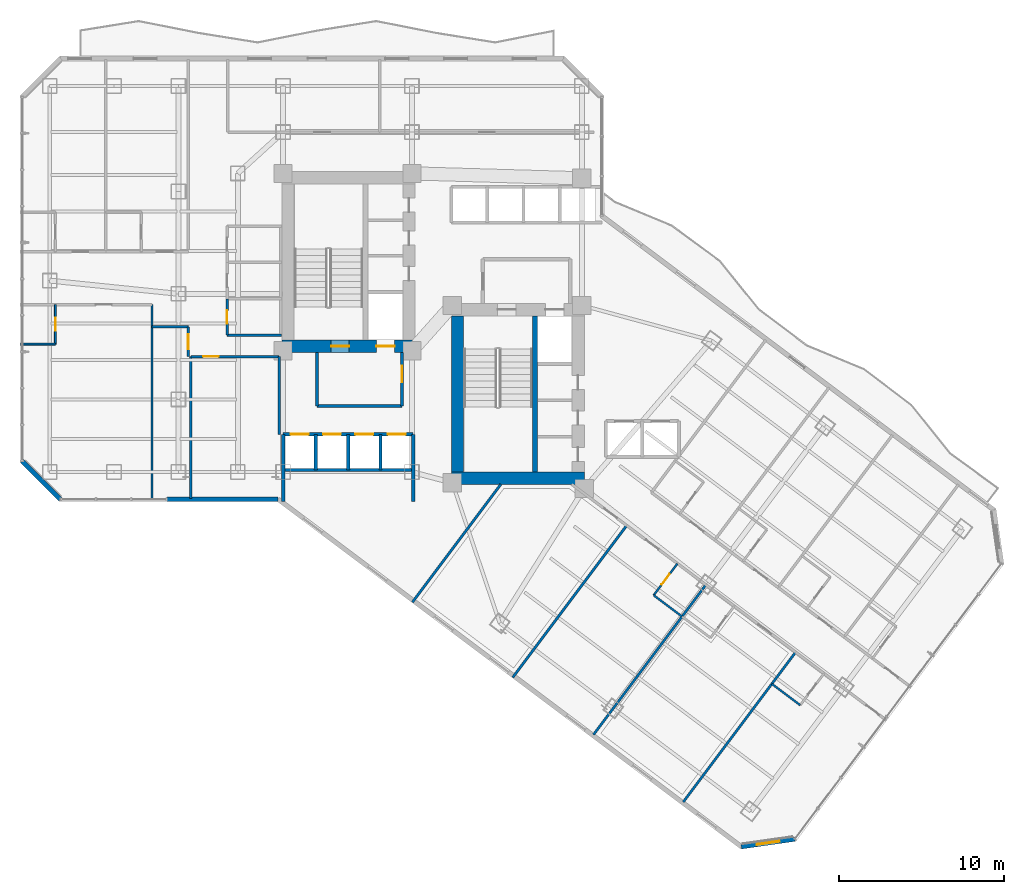
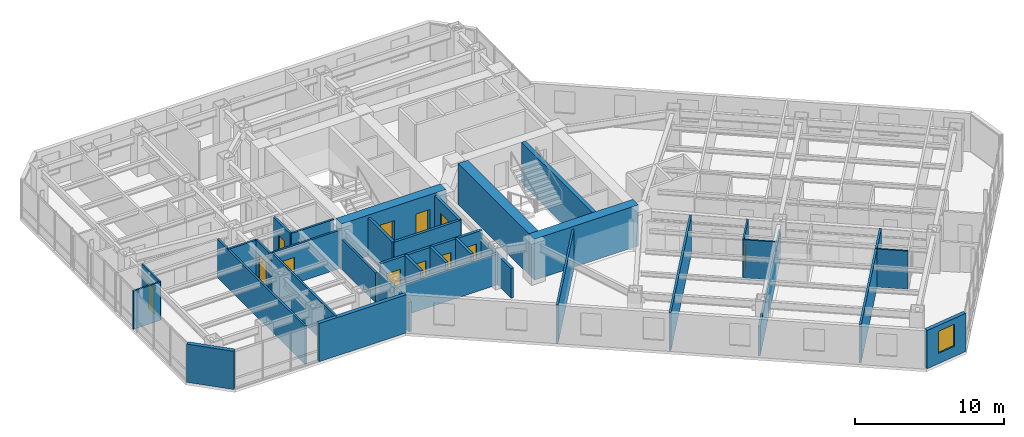
# One storey, part 22 of 31: 34 walls, 12 doors, 1 window, 13 openings.
"""IFC4 building model written with IfcOpenShell, lengths in metres."""

from ifc_helpers import new_model, si_unit, direction, frame, frame_2d, origin, place, context, subcontext, project, spatial, rectangle, extrude, material, layer, layer_set, type_object, element, fill, save


model = new_model("IFC4")

# Units and contexts
model_context = context("Model", 3, precision=1e-05, world=origin(), true_north=direction((0.0, 1.0)))
body_context = subcontext(model_context, "Body", "Model", "MODEL_VIEW")
ifc_project = project(units=[si_unit("LENGTHUNIT", "METRE"), si_unit("AREAUNIT", "SQUARE_METRE"), si_unit("VOLUMEUNIT", "CUBIC_METRE"), si_unit("PLANEANGLEUNIT", "RADIAN"), si_unit("MASSUNIT", "GRAM", prefix="KILO")], contexts=[model_context])

# Site, building, storey
site_placement = place(None, origin())
site = spatial("IfcSite", under=ifc_project, at=site_placement, CompositionType="ELEMENT")
building_placement = place(site_placement, origin())
building = spatial("IfcBuilding", under=site, at=building_placement, Name="Hatsunagi Terrace Concourse", CompositionType="ELEMENT")
storey_placement = place(building_placement, frame((0.0, 0.0, 81.300048828125)))
storey = spatial("IfcBuildingStorey", under=building, at=storey_placement, Name="L21", CompositionType="ELEMENT", Elevation=81.300048828125)

# Wall, openings, doors
ifc_material_1 = material(Name="Concrete Fc60", Category="concrete")
ifc_layer_1 = layer(ifc_material_1, 0.75)
ifc_layer_set_1 = layer_set([ifc_layer_1], Name="CoreShearWall_Fc60_750")
wall_type_1 = type_object("IfcWallType", Name="CoreShearWall_Fc60_750", PredefinedType="SHEAR", material=ifc_layer_set_1)
wall_1_placement = place(storey_placement, frame((25.469970703125, 32.81494140625, 0.0), z_axis=(0.0, 0.0, 1.0), x_axis=(1.0, 0.0, 0.0)))
wall_1 = element("IfcWall", 1, at=wall_1_placement, inside=storey, type_object=wall_type_1, Name="Core A Shear Wall S L21", PredefinedType="SHEAR", context=body_context, shape_type="SweptSolid", body=[
    extrude(rectangle(XDim=8.080078125, YDim=0.75, at=frame_2d((4.0400390625, 0.0))), origin(), (0.0, 0.0, 1.0), 3.349853515625),
])
opening_1_placement = place(wall_1_placement, frame((2.97998046875, 0.0, 0.0)))
opening_1 = element("IfcOpeningElement", 2, at=opening_1_placement, cuts=wall_1, Name="Opening DR-110S", PredefinedType="OPENING", context=body_context, shape_type="SweptSolid", body=[
    extrude(rectangle(XDim=1.10009765625, YDim=2.199951171875, at=frame_2d((0.550048828125, 1.10009765625))), frame((0.0, 0.385009765625, 0.0), z_axis=(0.0, -1.0, 0.0), x_axis=(1.0, 0.0, 0.0)), (0.0, 0.0, 1.0), 0.77001953125),
])
opening_2_placement = place(wall_1_placement, frame((5.72998046875, 0.0, 0.0)))
opening_2 = element("IfcOpeningElement", 3, at=opening_2_placement, cuts=wall_1, Name="Opening LD-01", PredefinedType="OPENING", context=body_context, shape_type="SweptSolid", body=[
    extrude(rectangle(XDim=1.10009765625, YDim=2.14990234375, at=frame_2d((0.550048828125, 1.074951171875))), frame((0.0, 0.385009765625, 0.0), z_axis=(0.0, -1.0, 0.0), x_axis=(1.0, 0.0, 0.0)), (0.0, 0.0, 1.0), 0.77001953125),
])
ifc_material_2 = material(Name="Stainless steel", Category="steel")
door_type_1 = type_object("IfcDoorType", Name="LiftLandingDoor_LD01", OperationType="SLIDING_TO_LEFT", PredefinedType="USERDEFINED", material=ifc_material_2)
door_1_placement = place(opening_2_placement, origin())
door_1 = element("IfcDoor", 4, at=door_1_placement, inside=storey, type_object=door_type_1, Name="Lift landing door FF-01 L21", ObjectType="SLIDING_LANDING_DOOR", OperationType="SLIDING_TO_LEFT", OverallHeight=2.14990234375, OverallWidth=1.10009765625, PredefinedType="USERDEFINED", context=body_context, shape_type="SweptSolid", body=[
    extrude(rectangle(XDim=1.10009765625, YDim=2.14990234375, at=frame_2d((0.550048828125, 1.074951171875))), frame((0.0, 0.02490234375, 0.0), z_axis=(0.0, -1.0, 0.0), x_axis=(1.0, 0.0, 0.0)), (0.0, 0.0, 1.0), 0.050048828125),
])
fill(opening_2, door_1)
ifc_material_3 = material(Name="Painted steel", Category="steel")
door_type_2 = type_object("IfcDoorType", Name="StairFireDoor_EI60_1100", OperationType="NOTDEFINED", PredefinedType="DOOR", material=ifc_material_3)
door_2_placement = place(opening_1_placement, origin())
door_2 = element("IfcDoor", 5, at=door_2_placement, inside=storey, type_object=door_type_2, Name="Stair ST-A Exit Door L21", OperationType="SINGLE_SWING_LEFT", OverallHeight=2.199951171875, OverallWidth=1.10009765625, PredefinedType="DOOR", context=body_context, shape_type="SweptSolid", body=[
    extrude(rectangle(XDim=1.10009765625, YDim=2.199951171875, at=frame_2d((0.550048828125, 1.10009765625))), frame((0.0, 0.02490234375, 0.0), z_axis=(0.0, -1.0, 0.0), x_axis=(1.0, 0.0, 0.0)), (0.0, 0.0, 1.0), 0.050048828125),
])
fill(opening_1, door_2)

# Walls
wall_2_placement = place(storey_placement, frame((35.739990234375, 24.81494140625, 0.0), z_axis=(0.0, 0.0, 1.0), x_axis=(1.0, 0.0, 0.0)))
element("IfcWall", 6, at=wall_2_placement, inside=storey, type_object=wall_type_1, Name="Core B Shear Wall S L21", PredefinedType="SHEAR", context=body_context, shape_type="SweptSolid", body=[
    extrude(rectangle(XDim=8.06005859375, YDim=0.75, at=frame_2d((4.030029296875, 0.0))), origin(), (0.0, 0.0, 1.0), 3.349853515625),
])
wall_3_placement = place(storey_placement, frame((36.114990234375, 25.18994140625, 0.0), z_axis=(0.0, 0.0, 1.0), x_axis=(0.0, 1.0, 0.0)))
element("IfcWall", 7, at=wall_3_placement, inside=storey, type_object=wall_type_1, Name="Core B Shear Wall W L21", PredefinedType="SHEAR", context=body_context, shape_type="SweptSolid", body=[
    extrude(rectangle(XDim=9.47998046875, YDim=0.75, at=frame_2d((4.739990234375, 0.0))), origin(), (0.0, 0.0, 1.0), 3.349853515625),
])
ifc_material_4 = material(Name="Concrete Fc48", Category="concrete")
ifc_layer_2 = layer(ifc_material_4, 0.300048828125)
ifc_layer_set_2 = layer_set([ifc_layer_2], Name="CoreStairDivider_Fc48_300")
wall_type_2 = type_object("IfcWallType", Name="CoreStairDivider_Fc48_300", PredefinedType="SHEAR", material=ifc_layer_set_2)
wall_4_placement = place(storey_placement, frame((40.81005859375, 25.18994140625, 0.0), z_axis=(0.0, 0.0, 1.0), x_axis=(0.0, 1.0, 0.0)))
element("IfcWall", 8, at=wall_4_placement, inside=storey, type_object=wall_type_2, Name="Core B Shear Wall D L21", PredefinedType="SHEAR", context=body_context, shape_type="SweptSolid", body=[
    extrude(rectangle(XDim=9.47998046875, YDim=0.300048828125, at=frame_2d((4.739990234375, 0.0))), origin(), (0.0, 0.0, 1.0), 3.349853515625),
])

# Wall, opening, door
ifc_material_5 = material(Name="Acoustic mineral board", Category="gypsum")
ifc_layer_3 = layer(ifc_material_5, 0.1201171875)
ifc_layer_set_3 = layer_set([ifc_layer_3], Name="PartitionWall_EI30_120")
wall_type_3 = type_object("IfcWallType", Name="PartitionWall_EI30_120", PredefinedType="PARTITIONING", material=ifc_layer_set_3)
wall_5_placement = place(storey_placement, frame((11.75, 32.949951171875, 0.0), z_axis=(0.0, 0.0, 1.0), x_axis=(0.0, 1.0, 0.0)))
wall_5 = element("IfcWall", 9, at=wall_5_placement, inside=storey, type_object=wall_type_3, Name="Interior Partition IW-L21-061", PredefinedType="PARTITIONING", context=body_context, shape_type="SweptSolid", body=[
    extrude(rectangle(XDim=2.400146484375, YDim=0.1201171875, at=frame_2d((1.2001953125, 0.0))), origin(), (0.0, 0.0, 1.0), 3.1298828125),
])
opening_3_placement = place(wall_5_placement, frame((0.800048828125, 0.0, 0.0)))
opening_3 = element("IfcOpeningElement", 10, at=opening_3_placement, cuts=wall_5, Name="Opening DR-080", PredefinedType="OPENING", context=body_context, shape_type="SweptSolid", body=[
    extrude(rectangle(XDim=0.800048828125, YDim=2.06005859375, at=frame_2d((0.39990234375, 1.030029296875))), frame((0.0, 0.070068359375, 0.0), z_axis=(0.0, -1.0, 0.0), x_axis=(1.0, 0.0, 0.0)), (0.0, 0.0, 1.0), 0.14013671875),
])
ifc_material_6 = material(Name="Hardwood timber", Category="wood")
door_type_3 = type_object("IfcDoorType", Name="BathroomDoor_800", OperationType="NOTDEFINED", PredefinedType="DOOR", material=ifc_material_6)
door_3_placement = place(opening_3_placement, origin())
door_3 = element("IfcDoor", 11, at=door_3_placement, inside=storey, type_object=door_type_3, Name="En-Suite Bathroom L21-S1 Door", OperationType="SINGLE_SWING_RIGHT", OverallHeight=2.06005859375, OverallWidth=0.800048828125, PredefinedType="DOOR", context=body_context, shape_type="SweptSolid", body=[
    extrude(rectangle(XDim=0.800048828125, YDim=2.06005859375, at=frame_2d((0.39990234375, 1.030029296875))), frame((0.0, 0.02490234375, 0.0), z_axis=(0.0, -1.0, 0.0), x_axis=(1.0, 0.0, 0.0)), (0.0, 0.0, 1.0), 0.050048828125),
])
fill(opening_3, door_3)

# Wall
wall_6_placement = place(storey_placement, frame((9.639892578125, 32.949951171875, 0.0), z_axis=(0.0, 0.0, 1.0), x_axis=(1.0, 0.0, 0.0)))
element("IfcWall", 12, at=wall_6_placement, inside=storey, type_object=wall_type_3, Name="Interior Partition IW-L21-062", PredefinedType="PARTITIONING", context=body_context, shape_type="SweptSolid", body=[
    extrude(rectangle(XDim=2.110107421875, YDim=0.1201171875, at=frame_2d((1.05517578125, 0.0))), origin(), (0.0, 0.0, 1.0), 3.1298828125),
])

# Wall, opening, door
wall_7_placement = place(storey_placement, frame((48.010009765625, 17.72998046875, 0.0), z_axis=(0.0, 0.0, 1.0), x_axis=(0.6, 0.8, 0.0)))
wall_7 = element("IfcWall", 13, at=wall_7_placement, inside=storey, type_object=wall_type_3, Name="Interior Partition IW-L21-088", PredefinedType="PARTITIONING", context=body_context, shape_type="SweptSolid", body=[
    extrude(rectangle(XDim=2.39990234375, YDim=0.1201171875, at=frame_2d((1.199951171875, 0.0))), origin(), (0.0, 0.0, 1.0), 3.1298828125),
])
opening_4_placement = place(wall_7_placement, frame((0.800048828125, 0.0, 0.0)))
opening_4 = element("IfcOpeningElement", 14, at=opening_4_placement, cuts=wall_7, Name="Opening DR-080", PredefinedType="OPENING", context=body_context, shape_type="SweptSolid", body=[
    extrude(rectangle(XDim=0.800048828125, YDim=2.06005859375, at=frame_2d((0.39990234375, 1.030029296875))), frame((0.0, 0.070068359375, 0.0), z_axis=(0.0, -1.0, 0.0), x_axis=(1.0, 0.0, 0.0)), (0.0, 0.0, 1.0), 0.14013671875),
])
door_4_placement = place(opening_4_placement, origin())
door_4 = element("IfcDoor", 15, at=door_4_placement, inside=storey, type_object=door_type_3, Name="En-Suite Bathroom L21-SESW1 Door", OperationType="SINGLE_SWING_LEFT", OverallHeight=2.06005859375, OverallWidth=0.800048828125, PredefinedType="DOOR", context=body_context, shape_type="SweptSolid", body=[
    extrude(rectangle(XDim=0.800048828125, YDim=2.06005859375, at=frame_2d((0.39990234375, 1.030029296875))), frame((0.0, 0.02490234375, 0.0), z_axis=(0.0, -1.0, 0.0), x_axis=(1.0, 0.0, 0.0)), (0.0, 0.0, 1.0), 0.050048828125),
])
fill(opening_4, door_4)

# Walls
for number, where, z_axis, x_axis, name in (
    (16, (48.010009765625, 17.72998046875, 0.0), (0.0, 0.0, 1.0), (0.79998637334, -0.60001816845, 0.0), "Interior Partition IW-L21-089"),
    (17, (55.169921875, 12.360107421875, 0.0), (0.0, 0.0, 1.0), (0.79998637334, -0.60001816845, 0.0), "Interior Partition IW-L21-099"),
):
    element("IfcWall", number, at=place(storey_placement, frame(where, z_axis=z_axis, x_axis=x_axis)), inside=storey, type_object=wall_type_3, Name=name, PredefinedType="PARTITIONING", context=body_context, shape_type="SweptSolid", body=[
        extrude(rectangle(XDim=2.14990234375, YDim=0.1201171875, at=frame_2d((1.074951171875, 0.0))), origin(), (0.0, 0.0, 1.0), 3.1298828125),
    ])
ifc_material_7 = material(Name="Acoustic mineral board", Category="gypsum")
ifc_layer_4 = layer(ifc_material_7, 0.14990234375)
ifc_layer_set_4 = layer_set([ifc_layer_4], Name="PartitionWall_EI60_150")
wall_type_4 = type_object("IfcWallType", Name="PartitionWall_EI60_150", PredefinedType="PARTITIONING", material=ifc_layer_set_4)
wall_8_placement = place(storey_placement, frame((22.14990234375, 33.5, 0.0), z_axis=(0.0, 0.0, 1.0), x_axis=(1.0, 0.0, 0.0)))
element("IfcWall", 18, at=wall_8_placement, inside=storey, type_object=wall_type_4, Name="Interior Partition IW-L21-031", PredefinedType="PARTITIONING", context=body_context, shape_type="SweptSolid", body=[
    extrude(rectangle(XDim=3.300048828125, YDim=0.14990234375, at=frame_2d((1.64990234375, 0.0))), origin(), (0.0, 0.0, 1.0), 3.1298828125),
])

# Wall, opening, door
wall_9_placement = place(storey_placement, frame((22.14990234375, 33.5, 0.0), z_axis=(0.0, 0.0, 1.0), x_axis=(0.0, 1.0, 0.0)))
wall_9 = element("IfcWall", 19, at=wall_9_placement, inside=storey, type_object=wall_type_4, Name="Interior Partition IW-L21-036", PredefinedType="PARTITIONING", context=body_context, shape_type="SweptSolid", body=[
    extrude(rectangle(XDim=2.199951171875, YDim=0.14990234375, at=frame_2d((1.10009765625, 0.0))), origin(), (0.0, 0.0, 1.0), 3.1298828125),
])
opening_5_placement = place(wall_9_placement, frame((0.699951171875, 0.0, 0.0)))
opening_5 = element("IfcOpeningElement", 20, at=opening_5_placement, cuts=wall_9, Name="Opening DR-080", PredefinedType="OPENING", context=body_context, shape_type="SweptSolid", body=[
    extrude(rectangle(XDim=0.800048828125, YDim=2.06005859375, at=frame_2d((0.39990234375, 1.030029296875))), frame((0.0, 0.0849609375, 0.0), z_axis=(0.0, -1.0, 0.0), x_axis=(1.0, 0.0, 0.0)), (0.0, 0.0, 1.0), 0.169921875),
])
door_5_placement = place(opening_5_placement, origin())
door_5 = element("IfcDoor", 21, at=door_5_placement, inside=storey, type_object=door_type_3, Name="Accessible WC Door L21", OperationType="SINGLE_SWING_RIGHT", OverallHeight=2.06005859375, OverallWidth=0.800048828125, PredefinedType="DOOR", context=body_context, shape_type="SweptSolid", body=[
    extrude(rectangle(XDim=0.800048828125, YDim=2.06005859375, at=frame_2d((0.39990234375, 1.030029296875))), frame((0.0, 0.02490234375, 0.0), z_axis=(0.0, -1.0, 0.0), x_axis=(1.0, 0.0, 0.0)), (0.0, 0.0, 1.0), 0.050048828125),
])
fill(opening_5, door_5)

# Walls
wall_10_placement = place(storey_placement, frame((33.384033203125, 17.31201171875, 0.0), z_axis=(0.0, 0.0, 1.0), x_axis=(0.600008743659, 0.799993442181, 0.0)))
element("IfcWall", 22, at=wall_10_placement, inside=storey, type_object=wall_type_4, Name="Interior Partition IW-L21-044", PredefinedType="PARTITIONING", context=body_context, shape_type="SweptSolid", body=[
    extrude(rectangle(XDim=8.93505859375, YDim=0.14990234375, at=frame_2d((4.467529296875, 0.0))), origin(), (0.0, 0.0, 1.0), 3.1298828125),
])
wall_11_placement = place(storey_placement, frame((39.464111328125, 12.751953125, 0.0), z_axis=(0.0, 0.0, 1.0), x_axis=(0.6, 0.8, 0.0)))
element("IfcWall", 23, at=wall_11_placement, inside=storey, type_object=wall_type_4, Name="Interior Partition IW-L21-045", PredefinedType="PARTITIONING", context=body_context, shape_type="SweptSolid", body=[
    extrude(rectangle(XDim=11.510009765625, YDim=0.14990234375, at=frame_2d((5.7548828125, 0.0))), origin(), (0.0, 0.0, 1.0), 3.1298828125),
])

# Wall, opening, door
wall_12_placement = place(storey_placement, frame((19.949951171875, 32.199951171875, 0.0), z_axis=(0.0, 0.0, 1.0), x_axis=(1.0, 0.0, 0.0)))
wall_12 = element("IfcWall", 24, at=wall_12_placement, inside=storey, type_object=wall_type_4, Name="Interior Partition IW-L21-046", PredefinedType="PARTITIONING", context=body_context, shape_type="SweptSolid", body=[
    extrude(rectangle(XDim=5.35009765625, YDim=0.14990234375, at=frame_2d((2.675048828125, 0.0))), origin(), (0.0, 0.0, 1.0), 3.1298828125),
])
opening_6_placement = place(wall_12_placement, frame((0.743896484375, 0.0, 0.0)))
opening_6 = element("IfcOpeningElement", 25, at=opening_6_placement, cuts=wall_12, Name="Opening DR-095", PredefinedType="OPENING", context=body_context, shape_type="SweptSolid", body=[
    extrude(rectangle(XDim=0.949951171875, YDim=2.14990234375, at=frame_2d((0.47509765625, 1.074951171875))), frame((0.0, 0.0849609375, 0.0), z_axis=(0.0, -1.0, 0.0), x_axis=(1.0, 0.0, 0.0)), (0.0, 0.0, 1.0), 0.169921875),
])
ifc_material_8 = material(Name="Hardwood timber", Category="wood")
door_type_4 = type_object("IfcDoorType", Name="InteriorSuiteDoor_EI30_950", OperationType="NOTDEFINED", PredefinedType="DOOR", material=ifc_material_8)
door_6_placement = place(opening_6_placement, origin())
door_6 = element("IfcDoor", 26, at=door_6_placement, inside=storey, type_object=door_type_4, Name="Hotel Wellness Spa L21-HSPA Door", OperationType="SINGLE_SWING_LEFT", OverallHeight=2.14990234375, OverallWidth=0.949951171875, PredefinedType="DOOR", context=body_context, shape_type="SweptSolid", body=[
    extrude(rectangle(XDim=0.949951171875, YDim=2.14990234375, at=frame_2d((0.47509765625, 1.074951171875))), frame((0.0, 0.02490234375, 0.0), z_axis=(0.0, -1.0, 0.0), x_axis=(1.0, 0.0, 0.0)), (0.0, 0.0, 1.0), 0.050048828125),
])
fill(opening_6, door_6)

# Walls
wall_13_placement = place(storey_placement, frame((19.949951171875, 23.60009765625, 0.0), z_axis=(0.0, 0.0, 1.0), x_axis=(0.0, 1.0, 0.0)))
element("IfcWall", 27, at=wall_13_placement, inside=storey, type_object=wall_type_4, Name="Interior Partition IW-L21-047", PredefinedType="PARTITIONING", context=body_context, shape_type="SweptSolid", body=[
    extrude(rectangle(XDim=8.599853515625, YDim=0.14990234375, at=frame_2d((4.2998046875, 0.0))), origin(), (0.0, 0.0, 1.0), 3.1298828125),
])
wall_14_placement = place(storey_placement, frame((25.300048828125, 27.47998046875, 0.0), z_axis=(0.0, 0.0, 1.0), x_axis=(0.0, 1.0, 0.0)))
element("IfcWall", 28, at=wall_14_placement, inside=storey, type_object=wall_type_4, Name="Interior Partition IW-L21-048", PredefinedType="PARTITIONING", context=body_context, shape_type="SweptSolid", body=[
    extrude(rectangle(XDim=4.719970703125, YDim=0.14990234375, at=frame_2d((2.35986328125, 0.0))), origin(), (0.0, 0.0, 1.0), 2.425048828125),
])
wall_15_placement = place(storey_placement, frame((17.60009765625, 23.60009765625, 0.0), z_axis=(0.0, 0.0, 1.0), x_axis=(0.0, 1.0, 0.0)))
element("IfcWall", 29, at=wall_15_placement, inside=storey, type_object=wall_type_4, Name="Interior Partition IW-L21-063", PredefinedType="PARTITIONING", context=body_context, shape_type="SweptSolid", body=[
    extrude(rectangle(XDim=11.75, YDim=0.14990234375, at=frame_2d((5.875, 0.0))), origin(), (0.0, 0.0, 1.0), 3.1298828125),
])
wall_16_placement = place(storey_placement, frame((17.60009765625, 34.0, 0.0), z_axis=(0.0, 0.0, 1.0), x_axis=(1.0, 0.0, 0.0)))
element("IfcWall", 30, at=wall_16_placement, inside=storey, type_object=wall_type_4, Name="Interior Partition IW-L21-064", PredefinedType="PARTITIONING", context=body_context, shape_type="SweptSolid", body=[
    extrude(rectangle(XDim=2.199951171875, YDim=0.14990234375, at=frame_2d((1.10009765625, 0.0))), origin(), (0.0, 0.0, 1.0), 3.1298828125),
])

# Wall, opening, door
wall_17_placement = place(storey_placement, frame((19.800048828125, 32.199951171875, 0.0), z_axis=(0.0, 0.0, 1.0), x_axis=(0.0, 1.0, 0.0)))
wall_17 = element("IfcWall", 31, at=wall_17_placement, inside=storey, type_object=wall_type_4, Name="Interior Partition IW-L21-065", PredefinedType="PARTITIONING", context=body_context, shape_type="SweptSolid", body=[
    extrude(rectangle(XDim=1.800048828125, YDim=0.14990234375, at=frame_2d((0.89990234375, 0.0))), origin(), (0.0, 0.0, 1.0), 3.1298828125),
])
opening_7_placement = place(wall_17_placement, frame((0.449951171875, 0.0, 0.0)))
opening_7 = element("IfcOpeningElement", 32, at=opening_7_placement, cuts=wall_17, Name="Opening DR-090", PredefinedType="OPENING", context=body_context, shape_type="SweptSolid", body=[
    extrude(rectangle(XDim=0.89990234375, YDim=2.14990234375, at=frame_2d((0.449951171875, 1.074951171875))), frame((0.0, 0.0849609375, 0.0), z_axis=(0.0, -1.0, 0.0), x_axis=(1.0, 0.0, 0.0)), (0.0, 0.0, 1.0), 0.169921875),
])
ifc_material_9 = material(Name="Hardwood timber", Category="wood")
door_type_5 = type_object("IfcDoorType", Name="CrownPavilionDoor_EI30_900", OperationType="NOTDEFINED", PredefinedType="DOOR", material=ifc_material_9)
door_7_placement = place(opening_7_placement, origin())
door_7 = element("IfcDoor", 33, at=door_7_placement, inside=storey, type_object=door_type_5, Name="Catering Pantry L21-HPAN Door", OperationType="SINGLE_SWING_RIGHT", OverallHeight=2.14990234375, OverallWidth=0.89990234375, PredefinedType="DOOR", context=body_context, shape_type="SweptSolid", body=[
    extrude(rectangle(XDim=0.89990234375, YDim=2.14990234375, at=frame_2d((0.449951171875, 1.074951171875))), frame((0.0, 0.02490234375, 0.0), z_axis=(0.0, -1.0, 0.0), x_axis=(1.0, 0.0, 0.0)), (0.0, 0.0, 1.0), 0.050048828125),
])
fill(opening_7, door_7)

# Walls
wall_18_placement = place(storey_placement, frame((44.360107421875, 9.280029296875, 0.0), z_axis=(0.0, 0.0, 1.0), x_axis=(0.599986233332, 0.800010324816, 0.0)))
element("IfcWall", 34, at=wall_18_placement, inside=storey, type_object=wall_type_4, Name="Interior Partition IW-L21-090", PredefinedType="PARTITIONING", context=body_context, shape_type="SweptSolid", body=[
    extrude(rectangle(XDim=11.349853515625, YDim=0.14990234375, at=frame_2d((5.6748046875, 0.0))), origin(), (0.0, 0.0, 1.0), 2.425048828125),
])
wall_19_placement = place(storey_placement, frame((49.800048828125, 5.199951171875, 0.0), z_axis=(0.0, 0.0, 1.0), x_axis=(0.6, 0.8, 0.0)))
element("IfcWall", 35, at=wall_19_placement, inside=storey, type_object=wall_type_4, Name="Interior Partition IW-L21-095", PredefinedType="PARTITIONING", context=body_context, shape_type="SweptSolid", body=[
    extrude(rectangle(XDim=11.35009765625, YDim=0.14990234375, at=frame_2d((5.675048828125, 0.0))), origin(), (0.0, 0.0, 1.0), 3.1298828125),
])
ifc_material_10 = material(Name="Acoustic mineral board", Category="gypsum")
ifc_layer_5 = layer(ifc_material_10, 0.199951171875)
ifc_layer_set_5 = layer_set([ifc_layer_5], Name="ShaftWall_EI120_200")
wall_type_5 = type_object("IfcWallType", Name="ShaftWall_EI120_200", PredefinedType="STANDARD", material=ifc_layer_set_5)
wall_20_placement = place(storey_placement, frame((27.60009765625, 29.199951171875, 0.0), z_axis=(0.0, 0.0, 1.0), x_axis=(1.0, 0.0, 0.0)))
element("IfcWall", 36, at=wall_20_placement, inside=storey, type_object=wall_type_5, Name="Interior Partition IW-L21-007", PredefinedType="STANDARD", context=body_context, shape_type="SweptSolid", body=[
    extrude(rectangle(XDim=5.14990234375, YDim=0.199951171875, at=frame_2d((2.574951171875, 0.0))), origin(), (0.0, 0.0, 1.0), 3.1298828125),
])
wall_21_placement = place(storey_placement, frame((27.60009765625, 29.199951171875, 0.0), z_axis=(0.0, 0.0, 1.0), x_axis=(0.0, 1.0, 0.0)))
element("IfcWall", 37, at=wall_21_placement, inside=storey, type_object=wall_type_5, Name="Interior Partition IW-L21-008", PredefinedType="STANDARD", context=body_context, shape_type="SweptSolid", body=[
    extrude(rectangle(XDim=3.239990234375, YDim=0.199951171875, at=frame_2d((1.6201171875, 0.0))), origin(), (0.0, 0.0, 1.0), 3.1298828125),
])

# Wall, opening, door
wall_22_placement = place(storey_placement, frame((32.75, 29.199951171875, 0.0), z_axis=(0.0, 0.0, 1.0), x_axis=(0.0, 1.0, 0.0)))
wall_22 = element("IfcWall", 38, at=wall_22_placement, inside=storey, type_object=wall_type_5, Name="Interior Partition IW-L21-009", PredefinedType="STANDARD", context=body_context, shape_type="SweptSolid", body=[
    extrude(rectangle(XDim=3.239990234375, YDim=0.199951171875, at=frame_2d((1.6201171875, 0.0))), origin(), (0.0, 0.0, 1.0), 3.1298828125),
])
opening_8_placement = place(wall_22_placement, frame((1.449951171875, 0.0, 0.0)))
opening_8 = element("IfcOpeningElement", 39, at=opening_8_placement, cuts=wall_22, Name="Opening DR-100F", PredefinedType="OPENING", context=body_context, shape_type="SweptSolid", body=[
    extrude(rectangle(XDim=1.0, YDim=2.199951171875, at=frame_2d((0.5, 1.10009765625))), frame((0.0, 0.10986328125, 0.0), z_axis=(0.0, -1.0, 0.0), x_axis=(1.0, 0.0, 0.0)), (0.0, 0.0, 1.0), 0.219970703125),
])
ifc_material_11 = material(Name="Painted steel", Category="steel")
door_type_6 = type_object("IfcDoorType", Name="FireDoor_EI60_1000", OperationType="NOTDEFINED", PredefinedType="DOOR", material=ifc_material_11)
door_8_placement = place(opening_8_placement, origin())
door_8 = element("IfcDoor", 40, at=door_8_placement, inside=storey, type_object=door_type_6, Name="Firefighting Lobby A Door L21", OperationType="SINGLE_SWING_RIGHT", OverallHeight=2.199951171875, OverallWidth=1.0, PredefinedType="DOOR", context=body_context, shape_type="SweptSolid", body=[
    extrude(rectangle(XDim=1.0, YDim=2.199951171875, at=frame_2d((0.5, 1.10009765625))), frame((0.0, 0.02490234375, 0.0), z_axis=(0.0, -1.0, 0.0), x_axis=(1.0, 0.0, 0.0)), (0.0, 0.0, 1.0), 0.050048828125),
])
fill(opening_8, door_8)

# Walls
for number, where, z_axis, x_axis, name in (
    (41, (25.550048828125, 23.39990234375, 0.0), (0.0, 0.0, 1.0), (0.0, 1.0, 0.0), "Interior Partition IW-L21-013"),
    (42, (33.429931640625, 23.39990234375, 0.0), (0.0, 0.0, 1.0), (0.0, 1.0, 0.0), "Interior Partition IW-L21-014"),
):
    element("IfcWall", number, at=place(storey_placement, frame(where, z_axis=z_axis, x_axis=x_axis)), inside=storey, type_object=wall_type_5, Name=name, PredefinedType="STANDARD", context=body_context, shape_type="SweptSolid", body=[
        extrude(rectangle(XDim=4.080078125, YDim=0.199951171875, at=frame_2d((2.0400390625, 0.0))), origin(), (0.0, 0.0, 1.0), 2.425048828125),
    ])
wall_23_placement = place(storey_placement, frame((25.550048828125, 25.320068359375, 0.0), z_axis=(0.0, 0.0, 1.0), x_axis=(1.0, 0.0, 0.0)))
element("IfcWall", 43, at=wall_23_placement, inside=storey, type_object=wall_type_5, Name="Interior Partition IW-L21-015", PredefinedType="STANDARD", context=body_context, shape_type="SweptSolid", body=[
    extrude(rectangle(XDim=7.8798828125, YDim=0.199951171875, at=frame_2d((3.93994140625, 0.0))), origin(), (0.0, 0.0, 1.0), 2.52490234375),
])
for number, where, z_axis, x_axis, name in (
    (44, (27.530029296875, 25.320068359375, 0.0), (0.0, 0.0, 1.0), (0.0, 1.0, 0.0), "Interior Partition IW-L21-016"),
    (45, (29.489990234375, 25.320068359375, 0.0), (0.0, 0.0, 1.0), (0.0, 1.0, 0.0), "Interior Partition IW-L21-017"),
    (46, (31.449951171875, 25.320068359375, 0.0), (0.0, 0.0, 1.0), (0.0, 1.0, 0.0), "Interior Partition IW-L21-018"),
):
    element("IfcWall", number, at=place(storey_placement, frame(where, z_axis=z_axis, x_axis=x_axis)), inside=storey, type_object=wall_type_5, Name=name, PredefinedType="STANDARD", context=body_context, shape_type="SweptSolid", body=[
        extrude(rectangle(XDim=2.159912109375, YDim=0.199951171875, at=frame_2d((1.080078125, 0.0))), origin(), (0.0, 0.0, 1.0), 3.1298828125),
    ])

# Wall, openings, doors
wall_24_placement = place(storey_placement, frame((25.550048828125, 27.47998046875, 0.0), z_axis=(0.0, 0.0, 1.0), x_axis=(1.0, 0.0, 0.0)))
wall_24 = element("IfcWall", 47, at=wall_24_placement, inside=storey, type_object=wall_type_5, Name="Interior Partition IW-L21-019", PredefinedType="STANDARD", context=body_context, shape_type="SweptSolid", body=[
    extrude(rectangle(XDim=7.8798828125, YDim=0.199951171875, at=frame_2d((3.93994140625, 0.0))), origin(), (0.0, 0.0, 1.0), 3.1298828125),
])
opening_9_placement = place(wall_24_placement, frame((0.4599609375, 0.0, 0.0)))
opening_9 = element("IfcOpeningElement", 48, at=opening_9_placement, cuts=wall_24, Name="Opening LD-03", PredefinedType="OPENING", context=body_context, shape_type="SweptSolid", body=[
    extrude(rectangle(XDim=1.080078125, YDim=2.14990234375, at=frame_2d((0.5400390625, 1.074951171875))), frame((0.0, 0.10986328125, 0.0), z_axis=(0.0, -1.0, 0.0), x_axis=(1.0, 0.0, 0.0)), (0.0, 0.0, 1.0), 0.219970703125),
])
opening_10_placement = place(wall_24_placement, frame((2.419921875, 0.0, 0.0)))
opening_10 = element("IfcOpeningElement", 49, at=opening_10_placement, cuts=wall_24, Name="Opening LD-03", PredefinedType="OPENING", context=body_context, shape_type="SweptSolid", body=[
    extrude(rectangle(XDim=1.080078125, YDim=2.14990234375, at=frame_2d((0.5400390625, 1.074951171875))), frame((0.0, 0.10986328125, 0.0), z_axis=(0.0, -1.0, 0.0), x_axis=(1.0, 0.0, 0.0)), (0.0, 0.0, 1.0), 0.219970703125),
])
opening_11_placement = place(wall_24_placement, frame((4.3798828125, 0.0, 0.0)))
opening_11 = element("IfcOpeningElement", 50, at=opening_11_placement, cuts=wall_24, Name="Opening LD-03", PredefinedType="OPENING", context=body_context, shape_type="SweptSolid", body=[
    extrude(rectangle(XDim=1.080078125, YDim=2.14990234375, at=frame_2d((0.5400390625, 1.074951171875))), frame((0.0, 0.10986328125, 0.0), z_axis=(0.0, -1.0, 0.0), x_axis=(1.0, 0.0, 0.0)), (0.0, 0.0, 1.0), 0.219970703125),
])
opening_12_placement = place(wall_24_placement, frame((6.340087890625, 0.0, 0.0)))
opening_12 = element("IfcOpeningElement", 51, at=opening_12_placement, cuts=wall_24, Name="Opening LD-03", PredefinedType="OPENING", context=body_context, shape_type="SweptSolid", body=[
    extrude(rectangle(XDim=1.080078125, YDim=2.14990234375, at=frame_2d((0.5400390625, 1.074951171875))), frame((0.0, 0.10986328125, 0.0), z_axis=(0.0, -1.0, 0.0), x_axis=(1.0, 0.0, 0.0)), (0.0, 0.0, 1.0), 0.219970703125),
])
ifc_material_12 = material(Name="Stainless steel", Category="steel")
door_type_7 = type_object("IfcDoorType", Name="LiftLandingDoor_LD03", OperationType="SLIDING_TO_LEFT", PredefinedType="USERDEFINED", material=ifc_material_12)
door_9_placement = place(opening_9_placement, origin())
door_9 = element("IfcDoor", 52, at=door_9_placement, inside=storey, type_object=door_type_7, Name="Lift landing door PL-01 L21", ObjectType="SLIDING_LANDING_DOOR", OperationType="SLIDING_TO_LEFT", OverallHeight=2.14990234375, OverallWidth=1.080078125, PredefinedType="USERDEFINED", context=body_context, shape_type="SweptSolid", body=[
    extrude(rectangle(XDim=1.080078125, YDim=2.14990234375, at=frame_2d((0.5400390625, 1.074951171875))), frame((0.0, 0.02490234375, 0.0), z_axis=(0.0, -1.0, 0.0), x_axis=(1.0, 0.0, 0.0)), (0.0, 0.0, 1.0), 0.050048828125),
])
fill(opening_9, door_9)
door_10_placement = place(opening_10_placement, origin())
door_10 = element("IfcDoor", 53, at=door_10_placement, inside=storey, type_object=door_type_7, Name="Lift landing door PL-02 L21", ObjectType="SLIDING_LANDING_DOOR", OperationType="SLIDING_TO_LEFT", OverallHeight=2.14990234375, OverallWidth=1.080078125, PredefinedType="USERDEFINED", context=body_context, shape_type="SweptSolid", body=[
    extrude(rectangle(XDim=1.080078125, YDim=2.14990234375, at=frame_2d((0.5400390625, 1.074951171875))), frame((0.0, 0.02490234375, 0.0), z_axis=(0.0, -1.0, 0.0), x_axis=(1.0, 0.0, 0.0)), (0.0, 0.0, 1.0), 0.050048828125),
])
fill(opening_10, door_10)
door_11_placement = place(opening_11_placement, origin())
door_11 = element("IfcDoor", 54, at=door_11_placement, inside=storey, type_object=door_type_7, Name="Lift landing door PL-03 L21", ObjectType="SLIDING_LANDING_DOOR", OperationType="SLIDING_TO_LEFT", OverallHeight=2.14990234375, OverallWidth=1.080078125, PredefinedType="USERDEFINED", context=body_context, shape_type="SweptSolid", body=[
    extrude(rectangle(XDim=1.080078125, YDim=2.14990234375, at=frame_2d((0.5400390625, 1.074951171875))), frame((0.0, 0.02490234375, 0.0), z_axis=(0.0, -1.0, 0.0), x_axis=(1.0, 0.0, 0.0)), (0.0, 0.0, 1.0), 0.050048828125),
])
fill(opening_11, door_11)
door_12_placement = place(opening_12_placement, origin())
door_12 = element("IfcDoor", 55, at=door_12_placement, inside=storey, type_object=door_type_7, Name="Lift landing door PL-04 L21", ObjectType="SLIDING_LANDING_DOOR", OperationType="SLIDING_TO_LEFT", OverallHeight=2.14990234375, OverallWidth=1.080078125, PredefinedType="USERDEFINED", context=body_context, shape_type="SweptSolid", body=[
    extrude(rectangle(XDim=1.080078125, YDim=2.14990234375, at=frame_2d((0.5400390625, 1.074951171875))), frame((0.0, 0.02490234375, 0.0), z_axis=(0.0, -1.0, 0.0), x_axis=(1.0, 0.0, 0.0)), (0.0, 0.0, 1.0), 0.050048828125),
])
fill(opening_12, door_12)

# Wall, opening, window
ifc_material_13 = material(Name="Autoclaved Lightweight Concrete and Terracotta Cladding", Category="masonry")
ifc_layer_6 = layer(ifc_material_13, 0.280029296875)
ifc_layer_set_6 = layer_set([ifc_layer_6], Name="TerracottaSpandrelWall_280")
wall_type_6 = type_object("IfcWallType", Name="TerracottaSpandrelWall_280", PredefinedType="STANDARD", material=ifc_layer_set_6)
wall_25_placement = place(storey_placement, frame((56.56298828125, 2.949951171875, 0.0), z_axis=(0.0, 0.0, 1.0), x_axis=(-0.989977778067, -0.141223223777, 0.0)))
wall_25 = element("IfcWall", 56, at=wall_25_placement, inside=storey, type_object=wall_type_6, Name="Exterior Spandrel Wall EW-L21-04", PredefinedType="STANDARD", context=body_context, shape_type="SweptSolid", body=[
    extrude(rectangle(XDim=3.27783203125, YDim=0.280029296875, at=frame_2d((1.638916015625, 0.0))), origin(), (0.0, 0.0, 1.0), 3.1298828125),
])
opening_13_placement = place(wall_25_placement, frame((0.93896484375, 0.0, 0.85009765625)))
opening_13 = element("IfcOpeningElement", 57, at=opening_13_placement, cuts=wall_25, Name="Opening WIN-02", PredefinedType="OPENING", context=body_context, shape_type="SweptSolid", body=[
    extrude(rectangle(XDim=1.39990234375, YDim=1.800048828125, at=frame_2d((0.699951171875, 0.89990234375))), frame((0.0, 0.14990234375, 0.0), z_axis=(0.0, -1.0, 0.0), x_axis=(1.0, 0.0, 0.0)), (0.0, 0.0, 1.0), 0.300048828125),
])
ifc_material_14 = material(Name="Thermally Broken Aluminium and Low-E Triple Glazing", Category="aluminium")
window_type = type_object("IfcWindowType", Name="HotelOperableVentWindow_1400x1800", PartitioningType="DOUBLE_PANEL_VERTICAL", PredefinedType="WINDOW", material=ifc_material_14)
window_placement = place(opening_13_placement, origin())
window = element("IfcWindow", 58, at=window_placement, inside=storey, type_object=window_type, Name="Hotel Guestroom Window L21-04-1", OverallHeight=1.800048828125, OverallWidth=1.39990234375, PartitioningType="SINGLE_PANEL", PredefinedType="WINDOW", context=body_context, shape_type="SweptSolid", body=[
    extrude(rectangle(XDim=1.39990234375, YDim=1.800048828125, at=frame_2d((0.699951171875, 0.89990234375))), frame((0.0, 0.030029296875, 0.0), z_axis=(0.0, -1.0, 0.0), x_axis=(1.0, 0.0, 0.0)), (0.0, 0.0, 1.0), 0.06005859375),
])
fill(opening_13, window)

# Walls
wall_26_placement = place(storey_placement, frame((25.2470703125, 23.5400390625, 0.0), z_axis=(0.0, 0.0, 1.0), x_axis=(-1.0, 0.0, 0.0)))
element("IfcWall", 59, at=wall_26_placement, inside=storey, type_object=wall_type_6, Name="Exterior Spandrel Wall EW-L21-06", PredefinedType="STANDARD", context=body_context, shape_type="SweptSolid", body=[
    extrude(rectangle(XDim=6.7470703125, YDim=0.280029296875, at=frame_2d((3.37353515625, 0.0))), origin(), (0.0, 0.0, 1.0), 3.1298828125),
])
wall_27_placement = place(storey_placement, frame((12.05810546875, 23.5400390625, 0.0), z_axis=(0.0, 0.0, 1.0), x_axis=(-0.707144017911, 0.707069542501, 0.0)))
element("IfcWall", 60, at=wall_27_placement, inside=storey, type_object=wall_type_6, Name="Exterior Spandrel Wall EW-L21-08", PredefinedType="STANDARD", context=body_context, shape_type="SweptSolid", body=[
    extrude(rectangle(XDim=3.278076171875, YDim=0.280029296875, at=frame_2d((1.63916015625, 0.0))), origin(), (0.0, 0.0, 1.0), 3.1298828125),
])

save(model, "model.ifc")
